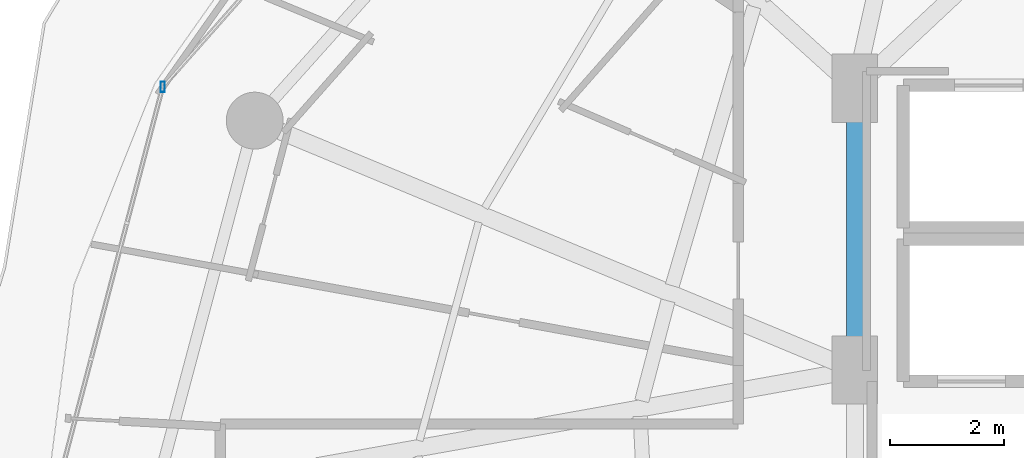
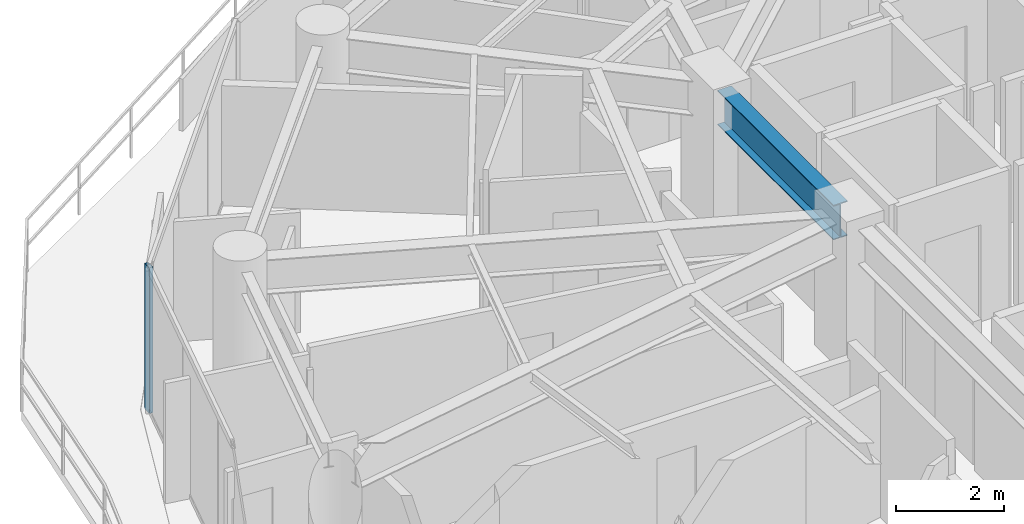
# One storey, part 9 of 30: 1 beam, 1 member, 1 element without a shape of its own.
"""IFC4 building model written with IfcOpenShell, lengths in metres."""

from ifc_helpers import new_model, si_unit, direction, frame, origin, origin_2d, place, context, subcontext, project, spatial, hollow_rectangle, i_section, extrude, material, material_profile, profile_set, type_object, element, aggregate, save


model = new_model("IFC4")

# Units and contexts
model_context = context("Model", 3, precision=1e-05, world=origin(), true_north=direction((0.0, 1.0)))
body_context = subcontext(model_context, "Body", "Model", "MODEL_VIEW")
ifc_project = project(units=[si_unit("LENGTHUNIT", "METRE"), si_unit("AREAUNIT", "SQUARE_METRE"), si_unit("VOLUMEUNIT", "CUBIC_METRE"), si_unit("PLANEANGLEUNIT", "RADIAN"), si_unit("MASSUNIT", "GRAM", prefix="KILO")], contexts=[model_context])

# Site, building, storey
site_placement = place(None, origin())
site = spatial("IfcSite", under=ifc_project, at=site_placement, CompositionType="ELEMENT")
building_placement = place(site_placement, origin())
building = spatial("IfcBuilding", under=site, at=building_placement, Name="Vorneva Point Tower", CompositionType="ELEMENT")
storey_placement = place(building_placement, frame((0.0, 0.0, 157.10009765625)))
storey = spatial("IfcBuildingStorey", under=building, at=storey_placement, Name="L42", CompositionType="ELEMENT", Elevation=157.10009765625)

# Beam
ifc_material_1 = material(Name="Steel S355", Category="steel")
ifc_material_profile_1 = material_profile(ifc_material_1, i_section(OverallWidth=0.300048828125, OverallDepth=0.7880859375, WebThickness=0.014404296875, FlangeThickness=0.02197265625, at=origin_2d()), Name="80Sh1")
ifc_profile_set_1 = profile_set([ifc_material_profile_1], Name="Steel S355")
beam_type = type_object("IfcBeamType", Name="BM-GRD-80Sh1", PredefinedType="USERDEFINED", material=ifc_profile_set_1)
beam_placement = place(storey_placement, frame((27.25, 28.52001953125, 2.845947265625), z_axis=(0.0, 1.0, 0.0), x_axis=(-1.0, 0.0, 0.0)))
element("IfcBeam", 1, at=beam_placement, inside=storey, type_object=beam_type, Name="L42 Core Tie Girder CT2", ObjectType="GIRDER", PredefinedType="USERDEFINED", context=body_context, shape_type="SweptSolid", body=[
    extrude(i_section(OverallWidth=0.300048828125, OverallDepth=0.7880859375, WebThickness=0.014404296875, FlangeThickness=0.02197265625, at=origin_2d()), origin(), (0.0, 0.0, 1.0), 4.31005859375),
])

# Curtain wall, member
ifc_material_2 = material(Name="Pale anodised aluminium", Category="aluminium")
curtain_wall_type = type_object("IfcCurtainWallType", Name="CW-RES-SYS", PredefinedType="NOTDEFINED", material=ifc_material_2)
curtain_wall_placement = place(storey_placement, origin())
curtain_wall = element("IfcCurtainWall", 2, at=curtain_wall_placement, inside=storey, type_object=curtain_wall_type, Name="L42 Unitised Curtain Wall CW-L42-R03", PredefinedType="NOTDEFINED")
ifc_material_profile_2 = material_profile(ifc_material_2, hollow_rectangle(XDim=0.074951171875, YDim=0.179931640625, WallThickness=0.00390625, at=origin_2d()), Name="AL-MUL 180x75x4")
ifc_profile_set_2 = profile_set([ifc_material_profile_2], Name="Pale anodised aluminium")
member_type = type_object("IfcMemberType", Name="CW-MUL-180", PredefinedType="MULLION", material=ifc_profile_set_2)
member_placement = place(storey_placement, frame((15.087890625, 33.17529296875, -0.0400390625), z_axis=(0.0, 0.0, 1.0), x_axis=(1.0, 0.0, 0.0)))
member = element("IfcMember", 3, at=member_placement, type_object=member_type, Name="CW-L42-R03 Mullion 03", PredefinedType="MULLION", context=body_context, shape_type="SweptSolid", body=[
    extrude(hollow_rectangle(XDim=0.074951171875, YDim=0.179931640625, WallThickness=0.00390625, at=origin_2d()), origin(), (0.0, 0.0, 1.0), 3.31005859375),
])
aggregate(curtain_wall, [member])

save(model, "model.ifc")
